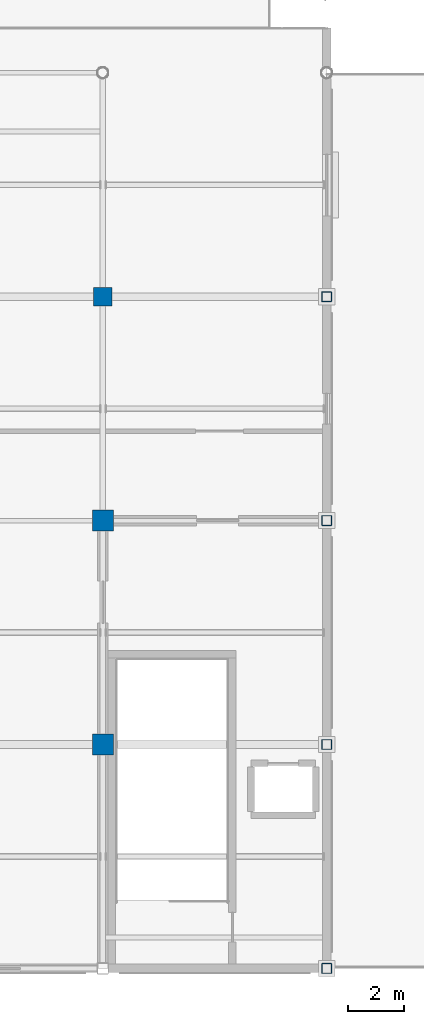
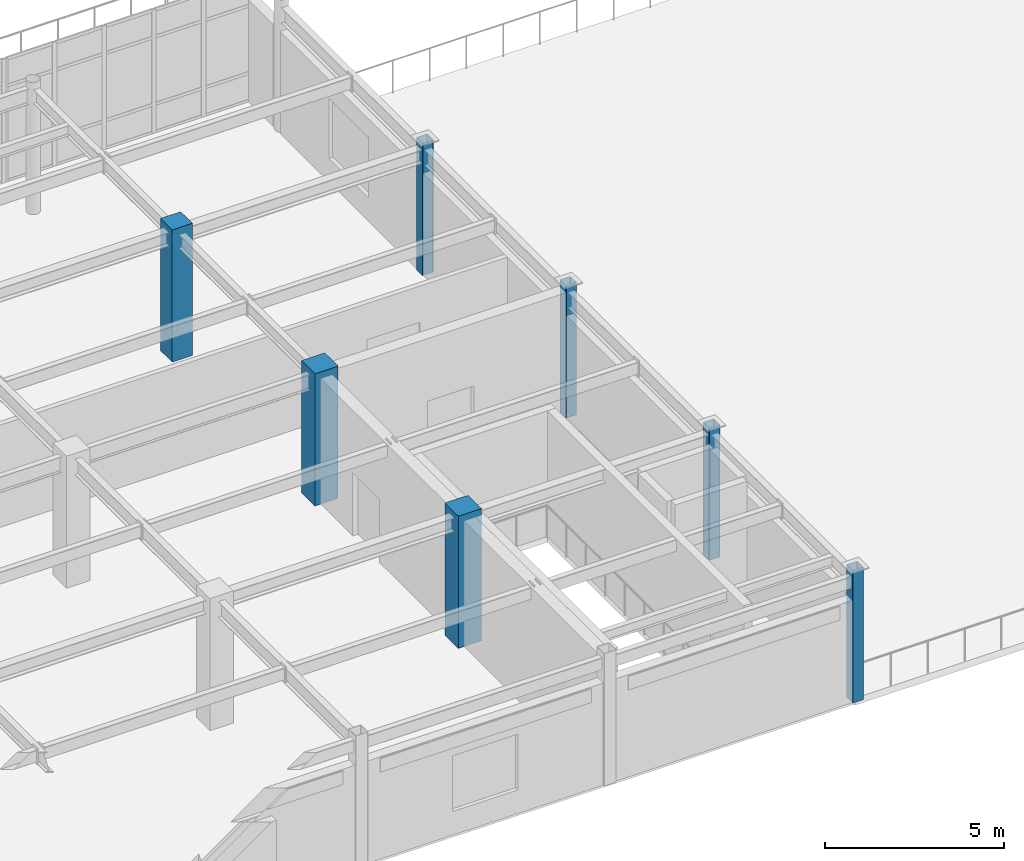
# One storey, part 5 of 93: 7 columns.
"""IFC4 building model written with IfcOpenShell, lengths in metres."""

from ifc_helpers import new_model, si_unit, direction, frame, origin, origin_2d, place, context, subcontext, project, spatial, rectangle, hollow_rectangle, extrude, material, material_profile, profile_set, type_object, element, save


model = new_model("IFC4")

# Units and contexts
model_context = context("Model", 3, precision=1e-05, world=origin(), true_north=direction((0.0, 1.0)))
body_context = subcontext(model_context, "Body", "Model", "MODEL_VIEW")
ifc_project = project(units=[si_unit("LENGTHUNIT", "METRE"), si_unit("AREAUNIT", "SQUARE_METRE"), si_unit("VOLUMEUNIT", "CUBIC_METRE"), si_unit("PLANEANGLEUNIT", "RADIAN"), si_unit("MASSUNIT", "GRAM", prefix="KILO")], contexts=[model_context])

# Site, building, storey
site_placement = place(None, origin())
site = spatial("IfcSite", under=ifc_project, at=site_placement, CompositionType="ELEMENT")
building_placement = place(site_placement, origin())
building = spatial("IfcBuilding", under=site, at=building_placement, Name="Solmirada Galleria", CompositionType="ELEMENT")
storey_placement = place(building_placement, frame((0.0, 0.0, 14.89990234375)))
storey = spatial("IfcBuildingStorey", under=building, at=storey_placement, Name="L03", CompositionType="ELEMENT", Elevation=14.89990234375)

# Columns
ifc_material_1 = material(Name="Steel S355 / ASTM A500 Grade C", Category="steel")
ifc_material_profile_1 = material_profile(ifc_material_1, hollow_rectangle(XDim=0.35595703125, YDim=0.35595703125, WallThickness=0.01171875, InnerFilletRadius=0.01171875, OuterFilletRadius=0.023681640625, at=origin_2d()), Name="HSS14X14X1/2")
ifc_profile_set_1 = profile_set([ifc_material_profile_1], Name="Steel S355 / ASTM A500 Grade C")
column_type_1 = type_object("IfcColumnType", Name="COL-HSS14", PredefinedType="COLUMN", material=ifc_profile_set_1)
for number, where, z_axis, x_axis, name in (
    (1, (144.0, 0.0, 0.0), (0.0, 0.0, 1.0), (1.0, 0.0, 0.0), "Structural column L03-1209"),
    (2, (144.0, 8.0, 0.0), (0.0, 0.0, 1.0), (1.0, 0.0, 0.0), "Structural column L03-1214"),
    (3, (144.0, 16.0, 0.0), (0.0, 0.0, 1.0), (1.0, 0.0, 0.0), "Structural column L03-1219"),
    (4, (144.0, 24.0, 0.0), (0.0, 0.0, 1.0), (1.0, 0.0, 0.0), "Structural column L03-1224"),
):
    element("IfcColumn", number, at=place(storey_placement, frame(where, z_axis=z_axis, x_axis=x_axis)), inside=storey, type_object=column_type_1, Name=name, PredefinedType="COLUMN", context=body_context, shape_type="SweptSolid", body=[
        extrude(hollow_rectangle(XDim=0.35595703125, YDim=0.35595703125, WallThickness=0.01171875, InnerFilletRadius=0.01171875, OuterFilletRadius=0.023681640625, at=origin_2d()), origin(), (0.0, 0.0, 1.0), 4.5),
    ])
ifc_material_2 = material(Name="Concrete C40/50", Category="concrete")
ifc_material_profile_2 = material_profile(ifc_material_2, rectangle(XDim=0.64990234375, YDim=0.64990234375, at=origin_2d()), Name="RC650X650")
ifc_profile_set_2 = profile_set([ifc_material_profile_2], Name="Concrete C40/50")
column_type_2 = type_object("IfcColumnType", Name="COL-RC650", PredefinedType="COLUMN", material=ifc_profile_set_2)
column_placement = place(storey_placement, frame((136.0, 24.0, 0.0), z_axis=(0.0, 0.0, 1.0), x_axis=(1.0, 0.0, 0.0)))
element("IfcColumn", 5, at=column_placement, inside=storey, type_object=column_type_2, Name="Structural column L03-1132", PredefinedType="COLUMN", context=body_context, shape_type="SweptSolid", body=[
    extrude(rectangle(XDim=0.64990234375, YDim=0.64990234375, at=origin_2d()), origin(), (0.0, 0.0, 1.0), 4.5),
])
ifc_material_profile_3 = material_profile(ifc_material_2, rectangle(XDim=0.75, YDim=0.75, at=origin_2d()), Name="RC750X750")
ifc_profile_set_3 = profile_set([ifc_material_profile_3], Name="Concrete C40/50")
column_type_3 = type_object("IfcColumnType", Name="COL-RC750", PredefinedType="COLUMN", material=ifc_profile_set_3)
for number, where, z_axis, x_axis, name in (
    (6, (136.0, 8.0, 0.0), (0.0, 0.0, 1.0), (1.0, 0.0, 0.0), "Structural column L03-1116"),
    (7, (136.0, 16.0, 0.0), (0.0, 0.0, 1.0), (1.0, 0.0, 0.0), "Structural column L03-1124"),
):
    element("IfcColumn", number, at=place(storey_placement, frame(where, z_axis=z_axis, x_axis=x_axis)), inside=storey, type_object=column_type_3, Name=name, PredefinedType="COLUMN", context=body_context, shape_type="SweptSolid", body=[
        extrude(rectangle(XDim=0.75, YDim=0.75, at=origin_2d()), origin(), (0.0, 0.0, 1.0), 4.5),
    ])

save(model, "model.ifc")
